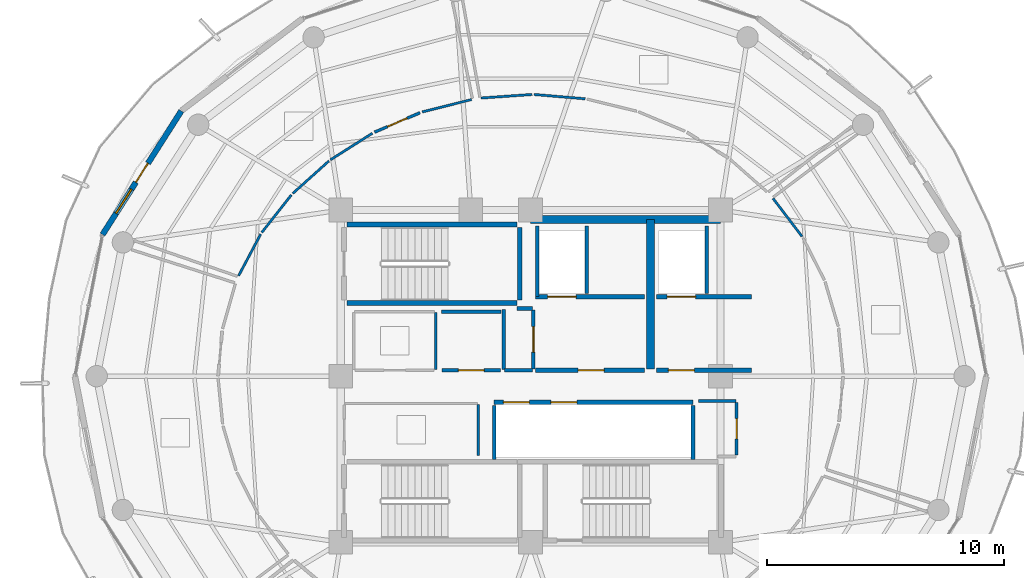
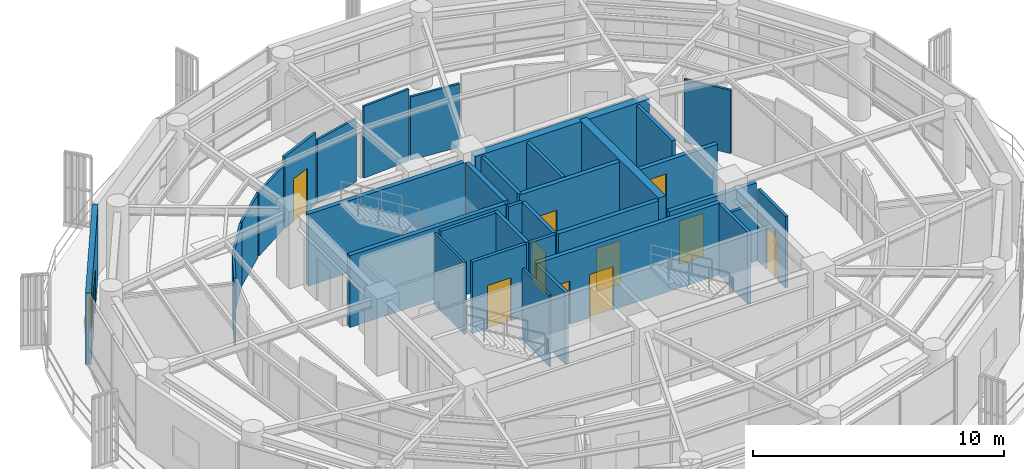
# One storey, part 17 of 23: 35 walls, 11 doors, 1 window, 12 openings.
"""IFC4 building model written with IfcOpenShell, lengths in metres."""

from ifc_helpers import new_model, si_unit, direction, frame, frame_2d, origin, place, context, subcontext, project, spatial, rectangle, extrude, material, layer, layer_set, type_object, element, fill, save


model = new_model("IFC4")

# Units and contexts
model_context = context("Model", 3, precision=1e-05, world=origin(), true_north=direction((0.0, 1.0)))
body_context = subcontext(model_context, "Body", "Model", "MODEL_VIEW")
ifc_project = project(units=[si_unit("LENGTHUNIT", "METRE"), si_unit("AREAUNIT", "SQUARE_METRE"), si_unit("VOLUMEUNIT", "CUBIC_METRE"), si_unit("PLANEANGLEUNIT", "RADIAN"), si_unit("MASSUNIT", "GRAM", prefix="KILO")], contexts=[model_context])

# Site, building, storey
site_placement = place(None, origin())
site = spatial("IfcSite", under=ifc_project, at=site_placement, CompositionType="ELEMENT")
building_placement = place(site_placement, origin())
building = spatial("IfcBuilding", under=site, at=building_placement, Name="Kelanora Arch Commons", CompositionType="ELEMENT")
storey_placement = place(building_placement, frame((0.0, 0.0, 282.449951171875)))
storey = spatial("IfcBuildingStorey", under=building, at=storey_placement, Name="L72", CompositionType="ELEMENT", Elevation=282.449951171875)

# Walls
ifc_material_1 = material(Name="Autoclaved aerated concrete blockwork with fire plaster", Category="masonry")
ifc_layer_1 = layer(ifc_material_1, 0.14990234375)
ifc_layer_set_1 = layer_set([ifc_layer_1], Name="Autoclaved aerated concrete blockwork with fire plaster")
wall_type_1 = type_object("IfcWallType", Name="W-COMP-150", PredefinedType="PARTITIONING", material=ifc_layer_set_1)
wall_1_placement = place(storey_placement, frame((74.280029296875, 61.35009765625, 0.0), z_axis=(0.0, 0.0, 1.0), x_axis=(0.0, 1.0, 0.0)))
element("IfcWall", 1, at=wall_1_placement, inside=storey, type_object=wall_type_1, Name="Firefighting Lift 1 West Shaft Wall L72", PredefinedType="PARTITIONING", context=body_context, shape_type="SweptSolid", body=[
    extrude(rectangle(XDim=2.969970703125, YDim=0.14990234375, at=frame_2d((1.48486328125, 0.0))), origin(), (0.0, 0.0, 1.0), 3.47998046875),
])
for number, where, z_axis, x_axis, name in (
    (2, (76.360107421875, 61.47998046875, 0.0), (0.0, 0.0, 1.0), (0.0, 1.0, 0.0), "Firefighting Lift 1 East Shaft Wall L72"),
    (3, (81.419921875, 61.47998046875, 0.0), (0.0, 0.0, 1.0), (0.0, 1.0, 0.0), "Firefighting Lift 2 East Shaft Wall L72"),
):
    element("IfcWall", number, at=place(storey_placement, frame(where, z_axis=z_axis, x_axis=x_axis)), inside=storey, type_object=wall_type_1, Name=name, PredefinedType="PARTITIONING", context=body_context, shape_type="SweptSolid", body=[
        extrude(rectangle(XDim=2.840087890625, YDim=0.14990234375, at=frame_2d((1.419921875, 0.0))), origin(), (0.0, 0.0, 1.0), 3.47998046875),
    ])
for number, where, z_axis, x_axis, name in (
    (4, (72.4599609375, 54.47998046875, 0.0), (0.0, 0.0, 1.0), (0.0, 1.0, 0.0), "South Lift Bank West Wall L72"),
    (5, (80.840087890625, 54.47998046875, 0.0), (0.0, 0.0, 1.0), (0.0, 1.0, 0.0), "South Lift Bank East Wall L72"),
):
    element("IfcWall", number, at=place(storey_placement, frame(where, z_axis=z_axis, x_axis=x_axis)), inside=storey, type_object=wall_type_1, Name=name, PredefinedType="PARTITIONING", context=body_context, shape_type="SweptSolid", body=[
        extrude(rectangle(XDim=2.2900390625, YDim=0.14990234375, at=frame_2d((1.14501953125, 0.0))), origin(), (0.0, 0.0, 1.0), 3.47998046875),
    ])

# Wall, opening, door
wall_2_placement = place(storey_placement, frame((74.1201171875, 58.31005859375, 0.0), z_axis=(0.0, 0.0, 1.0), x_axis=(0.0, 1.0, 0.0)))
wall_2 = element("IfcWall", 6, at=wall_2_placement, inside=storey, type_object=wall_type_1, Name="Core Linen Supply Store L72 Entry Partition", PredefinedType="PARTITIONING", context=body_context, shape_type="SweptSolid", body=[
    extrude(rectangle(XDim=2.47998046875, YDim=0.14990234375, at=frame_2d((1.239990234375, 0.0))), origin(), (0.0, 0.0, 1.0), 3.47998046875),
])
opening_1_placement = place(wall_2_placement, frame((0.699951171875, 0.0, 0.0)))
opening_1 = element("IfcOpeningElement", 7, at=opening_1_placement, cuts=wall_2, Name="Opening D-PLT1", PredefinedType="OPENING", context=body_context, shape_type="SweptSolid", body=[
    extrude(rectangle(XDim=1.080078125, YDim=2.10009765625, at=frame_2d((0.5400390625, 1.050048828125))), frame((0.0, 0.0849609375, 0.0), z_axis=(0.0, -1.0, 0.0), x_axis=(1.0, 0.0, 0.0)), (0.0, 0.0, 1.0), 0.169921875),
])
ifc_material_2 = material(Name="Galvanised steel plant and riser fire door", Category="steel")
door_type_1 = type_object("IfcDoorType", Name="D-PLT-110", OperationType="NOTDEFINED", PredefinedType="DOOR", material=ifc_material_2)
door_1_placement = place(opening_1_placement, origin())
door_1 = element("IfcDoor", 8, at=door_1_placement, inside=storey, type_object=door_type_1, Name="Core Linen Supply Store L72 Door", OperationType="SINGLE_SWING_RIGHT", OverallHeight=2.10009765625, OverallWidth=1.080078125, PredefinedType="DOOR", context=body_context, shape_type="SweptSolid", body=[
    extrude(rectangle(XDim=1.080078125, YDim=2.10009765625, at=frame_2d((0.5400390625, 1.050048828125))), frame((0.0, 0.02490234375, 0.0), z_axis=(0.0, -1.0, 0.0), x_axis=(1.0, 0.0, 0.0)), (0.0, 0.0, 1.0), 0.050048828125),
])
fill(opening_1, door_1)

wall_3_placement = place(storey_placement, frame((70.260009765625, 58.25, 0.0), z_axis=(0.0, 0.0, 1.0), x_axis=(1.0, 0.0, 0.0)))
wall_3 = element("IfcWall", 9, at=wall_3_placement, inside=storey, type_object=wall_type_1, Name="Reclaimed Core Linen Store L72 Entry Partition", PredefinedType="PARTITIONING", context=body_context, shape_type="SweptSolid", body=[
    extrude(rectangle(XDim=2.47998046875, YDim=0.14990234375, at=frame_2d((1.239990234375, 0.0))), origin(), (0.0, 0.0, 1.0), 3.47998046875),
])
opening_2_placement = place(wall_3_placement, frame((0.699951171875, 0.0, 0.0)))
opening_2 = element("IfcOpeningElement", 10, at=opening_2_placement, cuts=wall_3, Name="Opening D-PLT1", PredefinedType="OPENING", context=body_context, shape_type="SweptSolid", body=[
    extrude(rectangle(XDim=1.080078125, YDim=2.10009765625, at=frame_2d((0.5400390625, 1.050048828125))), frame((0.0, 0.0849609375, 0.0), z_axis=(0.0, -1.0, 0.0), x_axis=(1.0, 0.0, 0.0)), (0.0, 0.0, 1.0), 0.169921875),
])
door_2_placement = place(opening_2_placement, origin())
door_2 = element("IfcDoor", 11, at=door_2_placement, inside=storey, type_object=door_type_1, Name="Reclaimed Core Linen Store L72 Door", OperationType="SINGLE_SWING_LEFT", OverallHeight=2.10009765625, OverallWidth=1.080078125, PredefinedType="DOOR", context=body_context, shape_type="SweptSolid", body=[
    extrude(rectangle(XDim=1.080078125, YDim=2.10009765625, at=frame_2d((0.5400390625, 1.050048828125))), frame((0.0, 0.02490234375, 0.0), z_axis=(0.0, -1.0, 0.0), x_axis=(1.0, 0.0, 0.0)), (0.0, 0.0, 1.0), 0.050048828125),
])
fill(opening_2, door_2)

# Walls
wall_4_placement = place(storey_placement, frame((72.89990234375, 58.25, 0.0), z_axis=(0.0, 0.0, 1.0), x_axis=(1.0, 0.0, 0.0)))
element("IfcWall", 12, at=wall_4_placement, inside=storey, type_object=wall_type_1, Name="Core Linen Supply Store L72 Enclosure Partition 1", PredefinedType="PARTITIONING", context=body_context, shape_type="SweptSolid", body=[
    extrude(rectangle(XDim=1.18017578125, YDim=0.14990234375, at=frame_2d((0.590087890625, 0.0))), origin(), (0.0, 0.0, 1.0), 3.47998046875),
])
wall_5_placement = place(storey_placement, frame((74.080078125, 60.85009765625, 0.0), z_axis=(0.0, 0.0, 1.0), x_axis=(-1.0, 0.0, 0.0)))
element("IfcWall", 13, at=wall_5_placement, inside=storey, type_object=wall_type_1, Name="Core Linen Supply Store L72 Enclosure Partition 3", PredefinedType="PARTITIONING", context=body_context, shape_type="SweptSolid", body=[
    extrude(rectangle(XDim=0.66015625, YDim=0.14990234375, at=frame_2d((0.330078125, 0.0))), origin(), (0.0, 0.0, 1.0), 3.47998046875),
])
for number, where, z_axis, x_axis, name in (
    (14, (72.860107421875, 60.81005859375, 0.0), (0.0, 0.0, 1.0), (0.0, -1.0, 0.0), "Core Linen Supply Store L72 Enclosure Partition 4"),
    (15, (72.760009765625, 60.719970703125, 0.0), (0.0, 0.0, 1.0), (-1.0, 0.0, 0.0), "Reclaimed Core Linen Store L72 Enclosure Partition 3"),
):
    element("IfcWall", number, at=place(storey_placement, frame(where, z_axis=z_axis, x_axis=x_axis)), inside=storey, type_object=wall_type_1, Name=name, PredefinedType="PARTITIONING", context=body_context, shape_type="SweptSolid", body=[
        extrude(rectangle(XDim=2.52001953125, YDim=0.14990234375, at=frame_2d((1.260009765625, 0.0))), origin(), (0.0, 0.0, 1.0), 3.47998046875),
    ])
ifc_material_3 = material(Name="Concrete C50/60", Category="concrete")
ifc_layer_2 = layer(ifc_material_3, 0.35009765625)
ifc_layer_set_2 = layer_set([ifc_layer_2], Name="Concrete C50/60")
wall_type_2 = type_object("IfcWallType", Name="W-CORE-350", PredefinedType="SHEAR", material=ifc_layer_set_2)
wall_6_placement = place(storey_placement, frame((74.0, 64.60009765625, 0.0), z_axis=(0.0, 0.0, 1.0), x_axis=(1.0, 0.0, 0.0)))
element("IfcWall", 16, at=wall_6_placement, inside=storey, type_object=wall_type_2, Name="Core Shear Spine L72-CN-E", PredefinedType="SHEAR", context=body_context, shape_type="SweptSolid", body=[
    extrude(rectangle(XDim=8.0, YDim=0.35009765625, at=frame_2d((4.0, 0.0))), origin(), (0.0, 0.0, 1.0), 3.489990234375),
])
wall_7_placement = place(storey_placement, frame((79.050048828125, 58.300048828125, 0.0), z_axis=(0.0, 0.0, 1.0), x_axis=(0.0, 1.0, 0.0)))
element("IfcWall", 17, at=wall_7_placement, inside=storey, type_object=wall_type_2, Name="Core Shear Spine L72-CE-N", PredefinedType="SHEAR", context=body_context, shape_type="SweptSolid", body=[
    extrude(rectangle(XDim=6.300048828125, YDim=0.35009765625, at=frame_2d((3.14990234375, 0.0))), origin(), (0.0, 0.0, 1.0), 3.489990234375),
])

# Wall, openings, door, window
ifc_material_4 = material(Name="Precast concrete C40/50 upper-zone terracotta rainscreen", Category="masonry")
ifc_layer_3 = layer(ifc_material_4, 0.239990234375)
ifc_layer_set_3 = layer_set([ifc_layer_3], Name="Precast concrete C40/50 upper-zone terracotta rainscreen")
wall_type_3 = type_object("IfcWallType", Name="W-EXT-TC2", PredefinedType="SOLIDWALL", material=ifc_layer_set_3)
wall_8_placement = place(storey_placement, frame((59.28369140625, 69.171875, 0.0), z_axis=(0.0, 0.0, 1.0), x_axis=(-0.537271968456, -0.843409053728, 0.0)))
wall_8 = element("IfcWall", 18, at=wall_8_placement, inside=storey, type_object=wall_type_3, Name="Terracotta Exterior Wall L72-B07", PredefinedType="SOLIDWALL", context=body_context, shape_type="SweptSolid", body=[
    extrude(rectangle(XDim=6.175048828125, YDim=0.239990234375, at=frame_2d((3.08740234375, 0.0))), origin(), (0.0, 0.0, 1.0), 3.47509765625),
])
opening_3_placement = place(wall_8_placement, frame((2.613037109375, 0.0, 0.0)))
opening_3 = element("IfcOpeningElement", 19, at=opening_3_placement, cuts=wall_8, Name="Opening DB-01", PredefinedType="OPENING", context=body_context, shape_type="SweptSolid", body=[
    extrude(rectangle(XDim=0.949951171875, YDim=2.10009765625, at=frame_2d((0.47509765625, 1.050048828125))), frame((0.0, 0.1298828125, 0.0), z_axis=(0.0, -1.0, 0.0), x_axis=(1.0, 0.0, 0.0)), (0.0, 0.0, 1.0), 0.260009765625),
])
opening_4_placement = place(wall_8_placement, frame((3.9130859375, 0.0, 0.85009765625)))
opening_4 = element("IfcOpeningElement", 20, at=opening_4_placement, cuts=wall_8, Name="Opening WN-02", PredefinedType="OPENING", context=body_context, shape_type="SweptSolid", body=[
    extrude(rectangle(XDim=1.199951171875, YDim=1.449951171875, at=frame_2d((0.60009765625, 0.72509765625))), frame((0.0, 0.1298828125, 0.0), z_axis=(0.0, -1.0, 0.0), x_axis=(1.0, 0.0, 0.0)), (0.0, 0.0, 1.0), 0.260009765625),
])
ifc_material_5 = material(Name="Terracotta-aluminium thermally broken glazed balcony door", Category="masonry")
door_type_2 = type_object("IfcDoorType", Name="D-BAL-10", OperationType="NOTDEFINED", PredefinedType="DOOR", material=ifc_material_5)
door_3_placement = place(opening_3_placement, frame((0.949951171875, 0.0, 0.0), z_axis=(0.0, 0.0, 1.0), x_axis=(-1.0, 0.0, 0.0)))
door_3 = element("IfcDoor", 21, at=door_3_placement, inside=storey, type_object=door_type_2, Name="Wave Balcony Door L72-B07", OperationType="SINGLE_SWING_RIGHT", OverallHeight=2.10009765625, OverallWidth=0.949951171875, PredefinedType="DOOR", context=body_context, shape_type="SweptSolid", body=[
    extrude(rectangle(XDim=0.949951171875, YDim=2.10009765625, at=frame_2d((0.47509765625, 1.050048828125))), frame((0.0, 0.02490234375, 0.0), z_axis=(0.0, -1.0, 0.0), x_axis=(1.0, 0.0, 0.0)), (0.0, 0.0, 1.0), 0.050048828125),
])
fill(opening_3, door_3)
ifc_material_6 = material(Name="Terracotta-anodised aluminium frame with operable awning sash", Category="masonry")
window_type = type_object("IfcWindowType", Name="WIN-CL-12", PartitioningType="SINGLE_PANEL", PredefinedType="WINDOW", material=ifc_material_6)
window_placement = place(opening_4_placement, origin())
window = element("IfcWindow", 22, at=window_placement, inside=storey, type_object=window_type, Name="Co-Living Operable Window L72-B07", OverallHeight=1.449951171875, OverallWidth=1.199951171875, PartitioningType="SINGLE_PANEL", PredefinedType="WINDOW", context=body_context, shape_type="SweptSolid", body=[
    extrude(rectangle(XDim=1.199951171875, YDim=1.449951171875, at=frame_2d((0.60009765625, 0.72509765625))), frame((0.0, 0.030029296875, 0.0), z_axis=(0.0, -1.0, 0.0), x_axis=(1.0, 0.0, 0.0)), (0.0, 0.0, 1.0), 0.06005859375),
])
fill(opening_4, window)

# Wall, opening, door
ifc_material_7 = material(Name="Concrete C40/50", Category="concrete")
ifc_layer_4 = layer(ifc_material_7, 0.199951171875)
ifc_layer_set_4 = layer_set([ifc_layer_4], Name="Concrete C40/50")
wall_type_4 = type_object("IfcWallType", Name="W-FFL-200", PredefinedType="SOLIDWALL", material=ifc_layer_set_4)
wall_9_placement = place(storey_placement, frame((74.199951171875, 61.35009765625, 0.0), z_axis=(0.0, 0.0, 1.0), x_axis=(1.0, 0.0, 0.0)))
wall_9 = element("IfcWall", 23, at=wall_9_placement, inside=storey, type_object=wall_type_4, Name="Firefighting Lift 1 Shaft Front L72", PredefinedType="SOLIDWALL", context=body_context, shape_type="SweptSolid", body=[
    extrude(rectangle(XDim=4.60009765625, YDim=0.199951171875, at=frame_2d((2.300048828125, 0.0))), origin(), (0.0, 0.0, 1.0), 3.47998046875),
])
opening_5_placement = place(wall_9_placement, frame((0.52001953125, 0.0, 0.0)))
opening_5 = element("IfcOpeningElement", 24, at=opening_5_placement, cuts=wall_9, Name="Opening LD-FF", PredefinedType="OPENING", context=body_context, shape_type="SweptSolid", body=[
    extrude(rectangle(XDim=1.199951171875, YDim=2.14990234375, at=frame_2d((0.60009765625, 1.074951171875))), frame((0.0, 0.10986328125, 0.0), z_axis=(0.0, -1.0, 0.0), x_axis=(1.0, 0.0, 0.0)), (0.0, 0.0, 1.0), 0.219970703125),
])
ifc_material_8 = material(Name="Fire-rated firefighters lift sliding landing door")
door_type_3 = type_object("IfcDoorType", Name="D-LIFT-FF", OperationType="NOTDEFINED", PredefinedType="DOOR", material=ifc_material_8)
door_4_placement = place(opening_5_placement, origin())
door_4 = element("IfcDoor", 25, at=door_4_placement, inside=storey, type_object=door_type_3, Name="Firefighting Lift LF-FF1 Landing Door L72", OperationType="DOUBLE_DOOR_SLIDING", OverallHeight=2.14990234375, OverallWidth=1.199951171875, PredefinedType="DOOR", context=body_context, shape_type="SweptSolid", body=[
    extrude(rectangle(XDim=1.199951171875, YDim=2.14990234375, at=frame_2d((0.60009765625, 1.074951171875))), frame((0.0, 0.02490234375, 0.0), z_axis=(0.0, -1.0, 0.0), x_axis=(1.0, 0.0, 0.0)), (0.0, 0.0, 1.0), 0.050048828125),
])
fill(opening_5, door_4)

wall_10_placement = place(storey_placement, frame((79.300048828125, 61.35009765625, 0.0), z_axis=(0.0, 0.0, 1.0), x_axis=(1.0, 0.0, 0.0)))
wall_10 = element("IfcWall", 26, at=wall_10_placement, inside=storey, type_object=wall_type_4, Name="Firefighting Lift 2 Shaft Front L72", PredefinedType="SOLIDWALL", context=body_context, shape_type="SweptSolid", body=[
    extrude(rectangle(XDim=4.0, YDim=0.199951171875, at=frame_2d((2.0, 0.0))), origin(), (0.0, 0.0, 1.0), 2.775146484375),
])
opening_6_placement = place(wall_10_placement, frame((0.449951171875, 0.0, 0.0)))
opening_6 = element("IfcOpeningElement", 27, at=opening_6_placement, cuts=wall_10, Name="Opening LD-FF", PredefinedType="OPENING", context=body_context, shape_type="SweptSolid", body=[
    extrude(rectangle(XDim=1.199951171875, YDim=2.14990234375, at=frame_2d((0.60009765625, 1.074951171875))), frame((0.0, 0.10986328125, 0.0), z_axis=(0.0, -1.0, 0.0), x_axis=(1.0, 0.0, 0.0)), (0.0, 0.0, 1.0), 0.219970703125),
])
door_5_placement = place(opening_6_placement, origin())
door_5 = element("IfcDoor", 28, at=door_5_placement, inside=storey, type_object=door_type_3, Name="Firefighting Lift LF-FF2 Landing Door L72", OperationType="DOUBLE_DOOR_SLIDING", OverallHeight=2.14990234375, OverallWidth=1.199951171875, PredefinedType="DOOR", context=body_context, shape_type="SweptSolid", body=[
    extrude(rectangle(XDim=1.199951171875, YDim=2.14990234375, at=frame_2d((0.60009765625, 1.074951171875))), frame((0.0, 0.02490234375, 0.0), z_axis=(0.0, -1.0, 0.0), x_axis=(1.0, 0.0, 0.0)), (0.0, 0.0, 1.0), 0.050048828125),
])
fill(opening_6, door_5)

wall_11_placement = place(storey_placement, frame((74.199951171875, 58.25, 0.0), z_axis=(0.0, 0.0, 1.0), x_axis=(1.0, 0.0, 0.0)))
wall_11 = element("IfcWall", 29, at=wall_11_placement, inside=storey, type_object=wall_type_4, Name="Firefighting Lobby 1 Enclosure Wall L72", PredefinedType="SOLIDWALL", context=body_context, shape_type="SweptSolid", body=[
    extrude(rectangle(XDim=4.60009765625, YDim=0.199951171875, at=frame_2d((2.300048828125, 0.0))), origin(), (0.0, 0.0, 1.0), 3.47998046875),
])
opening_7_placement = place(wall_11_placement, frame((1.800048828125, 0.0, 0.0)))
opening_7 = element("IfcOpeningElement", 30, at=opening_7_placement, cuts=wall_11, Name="Opening D-FFL1", PredefinedType="OPENING", context=body_context, shape_type="SweptSolid", body=[
    extrude(rectangle(XDim=1.10009765625, YDim=2.10009765625, at=frame_2d((0.550048828125, 1.050048828125))), frame((0.0, 0.10986328125, 0.0), z_axis=(0.0, -1.0, 0.0), x_axis=(1.0, 0.0, 0.0)), (0.0, 0.0, 1.0), 0.219970703125),
])
ifc_material_9 = material(Name="Smoke-sealed firefighting lobby fire door")
door_type_4 = type_object("IfcDoorType", Name="D-FFL-110", OperationType="NOTDEFINED", PredefinedType="DOOR", material=ifc_material_9)
door_6_placement = place(opening_7_placement, frame((1.10009765625, 0.0, 0.0), z_axis=(0.0, 0.0, 1.0), x_axis=(-1.0, 0.0, 0.0)))
door_6 = element("IfcDoor", 31, at=door_6_placement, inside=storey, type_object=door_type_4, Name="Firefighting Lobby 1 Door L72", OperationType="SINGLE_SWING_LEFT", OverallHeight=2.10009765625, OverallWidth=1.10009765625, PredefinedType="DOOR", context=body_context, shape_type="SweptSolid", body=[
    extrude(rectangle(XDim=1.10009765625, YDim=2.10009765625, at=frame_2d((0.550048828125, 1.050048828125))), frame((0.0, 0.02490234375, 0.0), z_axis=(0.0, -1.0, 0.0), x_axis=(1.0, 0.0, 0.0)), (0.0, 0.0, 1.0), 0.050048828125),
])
fill(opening_7, door_6)

wall_12_placement = place(storey_placement, frame((79.300048828125, 58.25, 0.0), z_axis=(0.0, 0.0, 1.0), x_axis=(1.0, 0.0, 0.0)))
wall_12 = element("IfcWall", 32, at=wall_12_placement, inside=storey, type_object=wall_type_4, Name="Firefighting Lobby 2 Enclosure Wall L72", PredefinedType="SOLIDWALL", context=body_context, shape_type="SweptSolid", body=[
    extrude(rectangle(XDim=4.0, YDim=0.199951171875, at=frame_2d((2.0, 0.0))), origin(), (0.0, 0.0, 1.0), 2.775146484375),
])
opening_8_placement = place(wall_12_placement, frame((0.5, 0.0, 0.0)))
opening_8 = element("IfcOpeningElement", 33, at=opening_8_placement, cuts=wall_12, Name="Opening D-FFL1", PredefinedType="OPENING", context=body_context, shape_type="SweptSolid", body=[
    extrude(rectangle(XDim=1.10009765625, YDim=2.10009765625, at=frame_2d((0.550048828125, 1.050048828125))), frame((0.0, 0.10986328125, 0.0), z_axis=(0.0, -1.0, 0.0), x_axis=(1.0, 0.0, 0.0)), (0.0, 0.0, 1.0), 0.219970703125),
])
door_7_placement = place(opening_8_placement, frame((1.10009765625, 0.0, 0.0), z_axis=(0.0, 0.0, 1.0), x_axis=(-1.0, 0.0, 0.0)))
door_7 = element("IfcDoor", 34, at=door_7_placement, inside=storey, type_object=door_type_4, Name="Firefighting Lobby 2 Door L72", OperationType="SINGLE_SWING_RIGHT", OverallHeight=2.10009765625, OverallWidth=1.10009765625, PredefinedType="DOOR", context=body_context, shape_type="SweptSolid", body=[
    extrude(rectangle(XDim=1.10009765625, YDim=2.10009765625, at=frame_2d((0.550048828125, 1.050048828125))), frame((0.0, 0.02490234375, 0.0), z_axis=(0.0, -1.0, 0.0), x_axis=(1.0, 0.0, 0.0)), (0.0, 0.0, 1.0), 0.050048828125),
])
fill(opening_8, door_7)

# Wall, openings, doors
wall_13_placement = place(storey_placement, frame((72.449951171875, 56.89990234375, 0.0), z_axis=(0.0, 0.0, 1.0), x_axis=(1.0, 0.0, 0.0)))
wall_13 = element("IfcWall", 35, at=wall_13_placement, inside=storey, type_object=wall_type_4, Name="Mid/High/Express Lift Shaft Front L72", PredefinedType="SOLIDWALL", context=body_context, shape_type="SweptSolid", body=[
    extrude(rectangle(XDim=8.400146484375, YDim=0.199951171875, at=frame_2d((4.2001953125, 0.0))), origin(), (0.0, 0.0, 1.0), 3.47998046875),
])
opening_9_placement = place(wall_13_placement, frame((0.39990234375, 0.0, 0.0)))
opening_9 = element("IfcOpeningElement", 36, at=opening_9_placement, cuts=wall_13, Name="Opening LD-01", PredefinedType="OPENING", context=body_context, shape_type="SweptSolid", body=[
    extrude(rectangle(XDim=1.10009765625, YDim=2.10009765625, at=frame_2d((0.550048828125, 1.050048828125))), frame((0.0, 0.10986328125, 0.0), z_axis=(0.0, -1.0, 0.0), x_axis=(1.0, 0.0, 0.0)), (0.0, 0.0, 1.0), 0.219970703125),
])
opening_10_placement = place(wall_13_placement, frame((2.39990234375, 0.0, 0.0)))
opening_10 = element("IfcOpeningElement", 37, at=opening_10_placement, cuts=wall_13, Name="Opening LD-01", PredefinedType="OPENING", context=body_context, shape_type="SweptSolid", body=[
    extrude(rectangle(XDim=1.10009765625, YDim=2.10009765625, at=frame_2d((0.550048828125, 1.050048828125))), frame((0.0, 0.10986328125, 0.0), z_axis=(0.0, -1.0, 0.0), x_axis=(1.0, 0.0, 0.0)), (0.0, 0.0, 1.0), 0.219970703125),
])
ifc_material_10 = material(Name="Stainless steel passenger lift sliding landing door", Category="steel")
door_type_5 = type_object("IfcDoorType", Name="D-LIFT-110", OperationType="NOTDEFINED", PredefinedType="DOOR", material=ifc_material_10)
door_8_placement = place(opening_9_placement, origin())
door_8 = element("IfcDoor", 38, at=door_8_placement, inside=storey, type_object=door_type_5, Name="Passenger Lift LF-P7 Landing Door L72", OperationType="DOUBLE_DOOR_SLIDING", OverallHeight=2.10009765625, OverallWidth=1.10009765625, PredefinedType="DOOR", context=body_context, shape_type="SweptSolid", body=[
    extrude(rectangle(XDim=1.10009765625, YDim=2.10009765625, at=frame_2d((0.550048828125, 1.050048828125))), frame((0.0, 0.02490234375, 0.0), z_axis=(0.0, -1.0, 0.0), x_axis=(1.0, 0.0, 0.0)), (0.0, 0.0, 1.0), 0.050048828125),
])
fill(opening_9, door_8)
door_9_placement = place(opening_10_placement, origin())
door_9 = element("IfcDoor", 39, at=door_9_placement, inside=storey, type_object=door_type_5, Name="Passenger Lift LF-P8 Landing Door L72", OperationType="DOUBLE_DOOR_SLIDING", OverallHeight=2.10009765625, OverallWidth=1.10009765625, PredefinedType="DOOR", context=body_context, shape_type="SweptSolid", body=[
    extrude(rectangle(XDim=1.10009765625, YDim=2.10009765625, at=frame_2d((0.550048828125, 1.050048828125))), frame((0.0, 0.02490234375, 0.0), z_axis=(0.0, -1.0, 0.0), x_axis=(1.0, 0.0, 0.0)), (0.0, 0.0, 1.0), 0.050048828125),
])
fill(opening_10, door_9)

# Walls
ifc_material_11 = material(Name="Lightweight fire-rated acoustic stud partition")
ifc_layer_5 = layer(ifc_material_11, 0.10009765625)
ifc_layer_set_5 = layer_set([ifc_layer_5], Name="Lightweight fire-rated acoustic stud partition")
wall_type_5 = type_object("IfcWallType", Name="W-PART-100", PredefinedType="PARTITIONING", material=ifc_layer_set_5)
wall_14_placement = place(storey_placement, frame((70.0, 58.2900390625, 0.0), z_axis=(0.0, 0.0, 1.0), x_axis=(0.0, 1.0, 0.0)))
element("IfcWall", 40, at=wall_14_placement, inside=storey, type_object=wall_type_5, Name="Reclaimed Core Quiet Phone Booths L72 Enclosure Partition 2", PredefinedType="PARTITIONING", context=body_context, shape_type="SweptSolid", body=[
    extrude(rectangle(XDim=2.389892578125, YDim=0.10009765625, at=frame_2d((1.19482421875, 0.0))), origin(), (0.0, 0.0, 1.0), 3.47998046875),
])
wall_15_placement = place(storey_placement, frame((71.800048828125, 54.659912109375, 0.0), z_axis=(0.0, 0.0, 1.0), x_axis=(0.0, 1.0, 0.0)))
element("IfcWall", 41, at=wall_15_placement, inside=storey, type_object=wall_type_5, Name="Reclaimed Core High-Zone Pantry and Copy Room L72 Enclosure Partition 2", PredefinedType="PARTITIONING", context=body_context, shape_type="SweptSolid", body=[
    extrude(rectangle(XDim=2.150146484375, YDim=0.10009765625, at=frame_2d((1.0751953125, 0.0))), origin(), (0.0, 0.0, 1.0), 3.47998046875),
])
wall_16_placement = place(storey_placement, frame((71.51611328125, 69.654296875, 0.0), z_axis=(0.0, 0.0, 1.0), x_axis=(-0.969827312174, -0.243792913272, 0.0)))
element("IfcWall", 42, at=wall_16_placement, inside=storey, type_object=wall_type_5, Name="Communal Dining and Social Hall L72-01 Enclosure Partition 1", PredefinedType="PARTITIONING", context=body_context, shape_type="SweptSolid", body=[
    extrude(rectangle(XDim=2.14697265625, YDim=0.10009765625, at=frame_2d((1.073486328125, 0.0))), origin(), (0.0, 0.0, 1.0), 3.074951171875),
])
wall_17_placement = place(storey_placement, frame((67.335205078125, 68.233642578125, 0.0), z_axis=(0.0, 0.0, 1.0), x_axis=(-0.844856002064, -0.534993771717, 0.0)))
element("IfcWall", 43, at=wall_17_placement, inside=storey, type_object=wall_type_5, Name="Communal Dining and Social Hall L72-01 Enclosure Partition 3", PredefinedType="PARTITIONING", context=body_context, shape_type="SweptSolid", body=[
    extrude(rectangle(XDim=2.091796875, YDim=0.10009765625, at=frame_2d((1.0458984375, 0.0))), origin(), (0.0, 0.0, 1.0), 3.074951171875),
])
wall_18_placement = place(storey_placement, frame((65.504150390625, 67.06640625, 0.0), z_axis=(0.0, 0.0, 1.0), x_axis=(-0.743943808924, -0.668242178527, 0.0)))
element("IfcWall", 44, at=wall_18_placement, inside=storey, type_object=wall_type_5, Name="Communal Dining and Social Hall L72-01 Enclosure Partition 4", PredefinedType="PARTITIONING", context=body_context, shape_type="SweptSolid", body=[
    extrude(rectangle(XDim=2.054443359375, YDim=0.10009765625, at=frame_2d((1.02734375, 0.0))), origin(), (0.0, 0.0, 1.0), 3.074951171875),
])
wall_19_placement = place(storey_placement, frame((63.92138671875, 65.635498046875, 0.0), z_axis=(0.0, 0.0, 1.0), x_axis=(-0.618820199788, -0.785532660259, 0.0)))
element("IfcWall", 45, at=wall_19_placement, inside=storey, type_object=wall_type_5, Name="Communal Dining and Social Hall L72-01 Enclosure Partition 5", PredefinedType="PARTITIONING", context=body_context, shape_type="SweptSolid", body=[
    extrude(rectangle(XDim=2.01806640625, YDim=0.10009765625, at=frame_2d((1.009033203125, 0.0))), origin(), (0.0, 0.0, 1.0), 3.074951171875),
])
wall_20_placement = place(storey_placement, frame((62.629150390625, 63.983642578125, 0.0), z_axis=(0.0, 0.0, 1.0), x_axis=(-0.468933294906, -0.883233584579, 0.0)))
element("IfcWall", 46, at=wall_20_placement, inside=storey, type_object=wall_type_5, Name="Communal Dining and Social Hall L72-01 Enclosure Partition 6", PredefinedType="PARTITIONING", context=body_context, shape_type="SweptSolid", body=[
    extrude(rectangle(XDim=1.984130859375, YDim=0.10009765625, at=frame_2d((0.9921875, 0.0))), origin(), (0.0, 0.0, 1.0), 3.235107421875),
])
wall_21_placement = place(storey_placement, frame((85.434814453125, 63.8828125, 0.0), z_axis=(0.0, 0.0, 1.0), x_axis=(-0.605473441765, 0.795865510823, 0.0)))
element("IfcWall", 47, at=wall_21_placement, inside=storey, type_object=wall_type_5, Name="Communal Dining and Social Hall L72-05 Enclosure Partition 6", PredefinedType="PARTITIONING", context=body_context, shape_type="SweptSolid", body=[
    extrude(rectangle(XDim=2.014404296875, YDim=0.10009765625, at=frame_2d((1.00732421875, 0.0))), origin(), (0.0, 0.0, 1.0), 3.074951171875),
])
wall_22_placement = place(storey_placement, frame((76.300048828125, 69.684326171875, 0.0), z_axis=(0.0, 0.0, 1.0), x_axis=(-0.99643184896, 0.084401246306, 0.0)))
element("IfcWall", 48, at=wall_22_placement, inside=storey, type_object=wall_type_5, Name="Social Sky Lounge L72-06 Enclosure Partition 5", PredefinedType="PARTITIONING", context=body_context, shape_type="SweptSolid", body=[
    extrude(rectangle(XDim=2.160888671875, YDim=0.10009765625, at=frame_2d((1.08056640625, 0.0))), origin(), (0.0, 0.0, 1.0), 3.074951171875),
])
wall_23_placement = place(storey_placement, frame((74.067138671875, 69.8671875, 0.0), z_axis=(0.0, 0.0, 1.0), x_axis=(-0.997574370957, -0.069608723664, 0.0)))
element("IfcWall", 49, at=wall_23_placement, inside=storey, type_object=wall_type_5, Name="Social Sky Lounge L72-06 Enclosure Partition 6", PredefinedType="PARTITIONING", context=body_context, shape_type="SweptSolid", body=[
    extrude(rectangle(XDim=2.160400390625, YDim=0.10009765625, at=frame_2d((1.080078125, 0.0))), origin(), (0.0, 0.0, 1.0), 3.47998046875),
])

# Wall, opening, door
ifc_material_12 = material(Name="Acoustic twin-stud fire-rated gypsum partition")
ifc_layer_6 = layer(ifc_material_12, 0.1201171875)
ifc_layer_set_6 = layer_set([ifc_layer_6], Name="Acoustic twin-stud fire-rated gypsum partition")
wall_type_6 = type_object("IfcWallType", Name="W-PART-120", PredefinedType="PARTITIONING", material=ifc_layer_set_6)
wall_24_placement = place(storey_placement, frame((69.33984375, 69.097412109375, 0.0), z_axis=(0.0, 0.0, 1.0), x_axis=(-0.919508345424, -0.39307048057, 0.0)))
wall_24 = element("IfcWall", 50, at=wall_24_placement, inside=storey, type_object=wall_type_6, Name="Communal Dining and Social Hall L72-01 Entry Partition", PredefinedType="PARTITIONING", context=body_context, shape_type="SweptSolid", body=[
    extrude(rectangle(XDim=2.083251953125, YDim=0.1201171875, at=frame_2d((1.04150390625, 0.0))), origin(), (0.0, 0.0, 1.0), 3.47998046875),
])
opening_11_placement = place(wall_24_placement, frame((0.592041015625, 0.0, 0.0)))
opening_11 = element("IfcOpeningElement", 51, at=opening_11_placement, cuts=wall_24, Name="Opening D-RM1", PredefinedType="OPENING", context=body_context, shape_type="SweptSolid", body=[
    extrude(rectangle(XDim=0.89990234375, YDim=2.080078125, at=frame_2d((0.449951171875, 1.0400390625))), frame((0.0, 0.070068359375, 0.0), z_axis=(0.0, -1.0, 0.0), x_axis=(1.0, 0.0, 0.0)), (0.0, 0.0, 1.0), 0.14013671875),
])
ifc_material_13 = material(Name="Acoustic fire-rated timber study and lounge door", Category="wood")
door_type_6 = type_object("IfcDoorType", Name="D-ROOM-90", OperationType="NOTDEFINED", PredefinedType="DOOR", material=ifc_material_13)
door_10_placement = place(opening_11_placement, origin())
door_10 = element("IfcDoor", 52, at=door_10_placement, inside=storey, type_object=door_type_6, Name="Communal Dining and Social Hall L72-01 Door", OperationType="SINGLE_SWING_LEFT", OverallHeight=2.080078125, OverallWidth=0.89990234375, PredefinedType="DOOR", context=body_context, shape_type="SweptSolid", body=[
    extrude(rectangle(XDim=0.89990234375, YDim=2.080078125, at=frame_2d((0.449951171875, 1.0400390625))), frame((0.0, 0.02490234375, 0.0), z_axis=(0.0, -1.0, 0.0), x_axis=(1.0, 0.0, 0.0)), (0.0, 0.0, 1.0), 0.050048828125),
])
fill(opening_11, door_10)

# Walls
ifc_layer_7 = layer(ifc_material_7, 0.199951171875)
ifc_layer_set_7 = layer_set([ifc_layer_7], Name="Concrete C40/50")
wall_type_7 = type_object("IfcWallType", Name="W-STAIR-200", PredefinedType="SHEAR", material=ifc_layer_set_7)
wall_25_placement = place(storey_placement, frame((66.260009765625, 61.080078125, 0.0), z_axis=(0.0, 0.0, 1.0), x_axis=(1.0, 0.0, 0.0)))
element("IfcWall", 53, at=wall_25_placement, inside=storey, type_object=wall_type_7, Name="Stair ST-T1 Shaft Wall S L72", PredefinedType="SHEAR", context=body_context, shape_type="SweptSolid", body=[
    extrude(rectangle(XDim=7.159912109375, YDim=0.199951171875, at=frame_2d((3.580078125, 0.0))), origin(), (0.0, 0.0, 1.0), 3.489990234375),
])
wall_26_placement = place(storey_placement, frame((73.5400390625, 61.199951171875, 0.0), z_axis=(0.0, 0.0, 1.0), x_axis=(0.0, 1.0, 0.0)))
element("IfcWall", 54, at=wall_26_placement, inside=storey, type_object=wall_type_7, Name="Stair ST-T1 Shaft Wall E L72", PredefinedType="SHEAR", context=body_context, shape_type="SweptSolid", body=[
    extrude(rectangle(XDim=3.070068359375, YDim=0.199951171875, at=frame_2d((1.53515625, 0.0))), origin(), (0.0, 0.0, 1.0), 3.489990234375),
])
wall_27_placement = place(storey_placement, frame((73.419921875, 64.389892578125, 0.0), z_axis=(0.0, 0.0, 1.0), x_axis=(-1.0, 0.0, 0.0)))
element("IfcWall", 55, at=wall_27_placement, inside=storey, type_object=wall_type_7, Name="Stair ST-T1 Shaft Wall N L72", PredefinedType="SHEAR", context=body_context, shape_type="SweptSolid", body=[
    extrude(rectangle(XDim=7.159912109375, YDim=0.199951171875, at=frame_2d((3.580078125, 0.0))), origin(), (0.0, 0.0, 1.0), 3.489990234375),
])

# Wall, opening, door
ifc_material_14 = material(Name="Moisture-resistant fire-rated cement-board plumbing wall")
ifc_layer_8 = layer(ifc_material_14, 0.1298828125)
ifc_layer_set_8 = layer_set([ifc_layer_8], Name="Moisture-resistant fire-rated cement-board plumbing wall")
wall_type_8 = type_object("IfcWallType", Name="W-WET-120", PredefinedType="PLUMBINGWALL", material=ifc_layer_set_8)
wall_28_placement = place(storey_placement, frame((82.679931640625, 54.679931640625, 0.0), z_axis=(0.0, 0.0, 1.0), x_axis=(0.0, 1.0, 0.0)))
wall_28 = element("IfcWall", 56, at=wall_28_placement, inside=storey, type_object=wall_type_8, Name="Core Accessible Unisex WC L72 Entry Partition", PredefinedType="PLUMBINGWALL", context=body_context, shape_type="SweptSolid", body=[
    extrude(rectangle(XDim=2.2099609375, YDim=0.1298828125, at=frame_2d((1.10498046875, 0.0))), origin(), (0.0, 0.0, 1.0), 3.47998046875),
])
opening_12_placement = place(wall_28_placement, frame((0.675048828125, 0.0, 0.0)))
opening_12 = element("IfcOpeningElement", 57, at=opening_12_placement, cuts=wall_28, Name="Opening D-BT1", PredefinedType="OPENING", context=body_context, shape_type="SweptSolid", body=[
    extrude(rectangle(XDim=0.860107421875, YDim=2.050048828125, at=frame_2d((0.43017578125, 1.02490234375))), frame((0.0, 0.074951171875, 0.0), z_axis=(0.0, -1.0, 0.0), x_axis=(1.0, 0.0, 0.0)), (0.0, 0.0, 1.0), 0.14990234375),
])
ifc_material_15 = material(Name="Moisture-sealed fire-rated accessible bathroom door")
door_type_7 = type_object("IfcDoorType", Name="D-BATH-85", OperationType="NOTDEFINED", PredefinedType="DOOR", material=ifc_material_15)
door_11_placement = place(opening_12_placement, origin())
door_11 = element("IfcDoor", 58, at=door_11_placement, inside=storey, type_object=door_type_7, Name="Core Accessible Unisex WC L72 Door", OperationType="SINGLE_SWING_LEFT", OverallHeight=2.050048828125, OverallWidth=0.860107421875, PredefinedType="DOOR", context=body_context, shape_type="SweptSolid", body=[
    extrude(rectangle(XDim=0.860107421875, YDim=2.050048828125, at=frame_2d((0.43017578125, 1.02490234375))), frame((0.0, 0.02490234375, 0.0), z_axis=(0.0, -1.0, 0.0), x_axis=(1.0, 0.0, 0.0)), (0.0, 0.0, 1.0), 0.050048828125),
])
fill(opening_12, door_11)

# Wall
wall_29_placement = place(storey_placement, frame((82.659912109375, 56.949951171875, 0.0), z_axis=(0.0, 0.0, 1.0), x_axis=(-1.0, 0.0, 0.0)))
element("IfcWall", 59, at=wall_29_placement, inside=storey, type_object=wall_type_8, Name="Core Accessible Unisex WC L72 Enclosure Partition 3", PredefinedType="PLUMBINGWALL", context=body_context, shape_type="SweptSolid", body=[
    extrude(rectangle(XDim=1.58984375, YDim=0.1298828125, at=frame_2d((0.794921875, 0.0))), origin(), (0.0, 0.0, 1.0), 2.775146484375),
])

save(model, "model.ifc")
